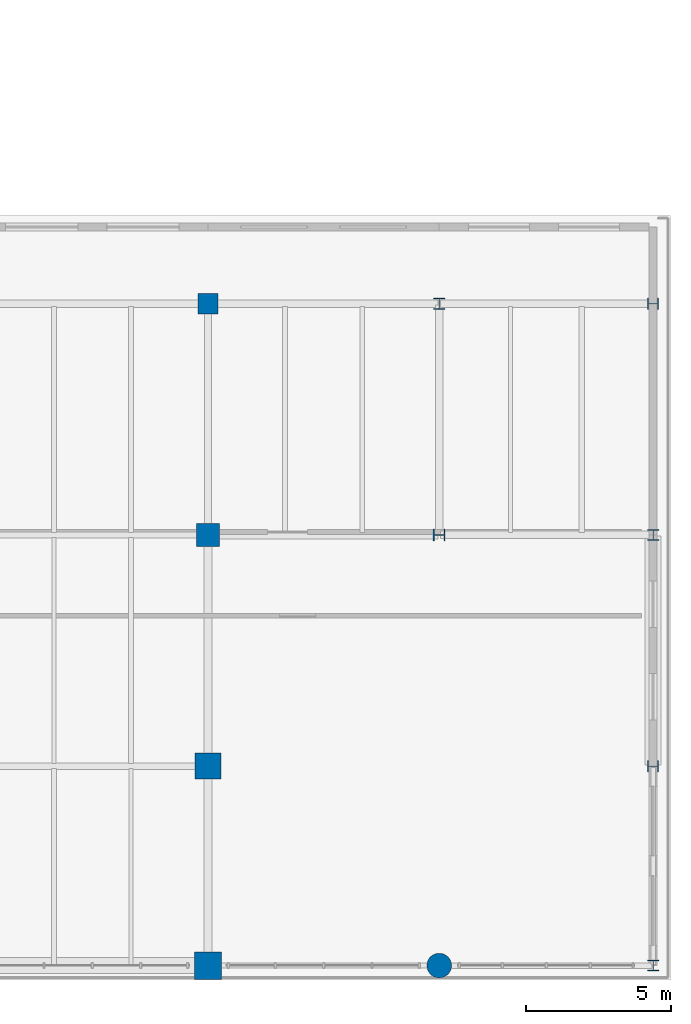
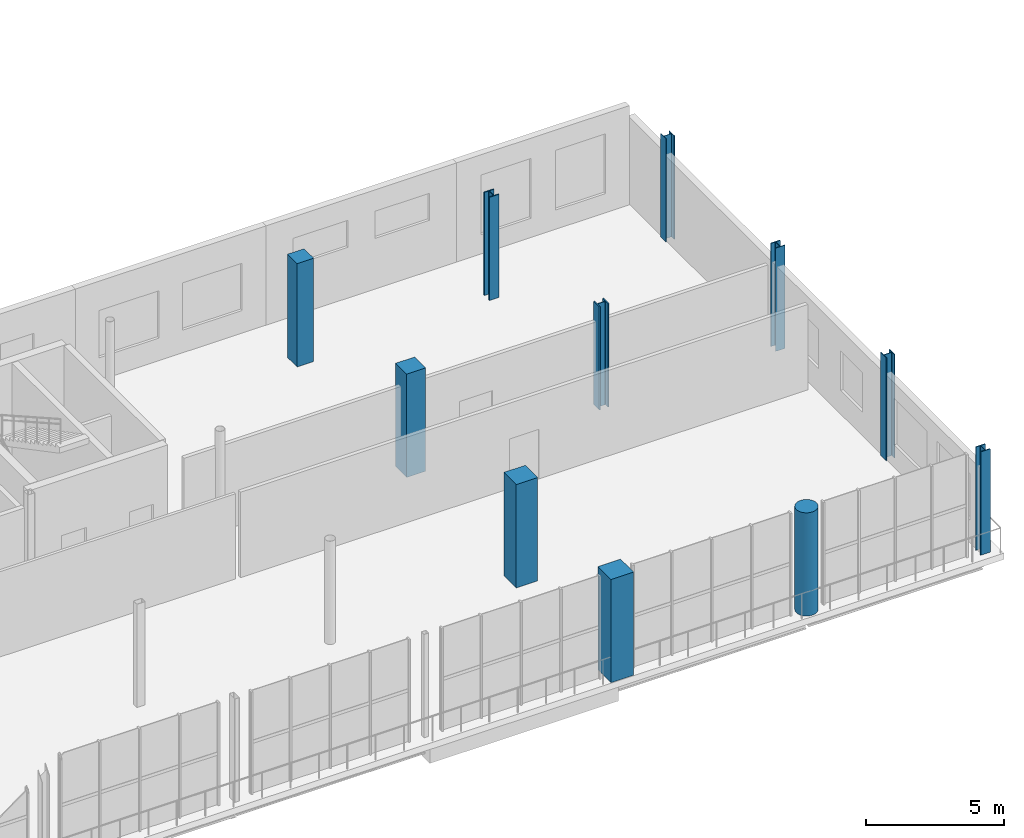
# One storey, part 18 of 70: 11 columns.
"""IFC4 building model written with IfcOpenShell, lengths in metres."""

from ifc_helpers import new_model, si_unit, direction, frame, origin, origin_2d, place, context, subcontext, project, spatial, rectangle, circle, i_section, extrude, material, material_profile, profile_set, type_object, element, save


model = new_model("IFC4")

# Units and contexts
model_context = context("Model", 3, precision=1e-05, world=origin(), true_north=direction((0.0, 1.0)))
body_context = subcontext(model_context, "Body", "Model", "MODEL_VIEW")
ifc_project = project(units=[si_unit("LENGTHUNIT", "METRE"), si_unit("AREAUNIT", "SQUARE_METRE"), si_unit("VOLUMEUNIT", "CUBIC_METRE"), si_unit("PLANEANGLEUNIT", "RADIAN"), si_unit("MASSUNIT", "GRAM", prefix="KILO")], contexts=[model_context])

# Site, building, storey
site_placement = place(None, origin())
site = spatial("IfcSite", under=ifc_project, at=site_placement, CompositionType="ELEMENT")
building_placement = place(site_placement, origin())
building = spatial("IfcBuilding", under=site, at=building_placement, Name="Brisemont Oceanarium", CompositionType="ELEMENT")
storey_placement = place(building_placement, frame((0.0, 0.0, 10.199951171875)))
storey = spatial("IfcBuildingStorey", under=building, at=storey_placement, Name="L02", CompositionType="ELEMENT", Elevation=10.199951171875)

# Columns
ifc_material_1 = material(Name="Concrete C35/45", Category="concrete")
ifc_material_profile_1 = material_profile(ifc_material_1, rectangle(XDim=0.699951171875, YDim=0.699951171875, at=origin_2d()), Name="RC-COL-700X700")
ifc_profile_set_1 = profile_set([ifc_material_profile_1], Name="Concrete C35/45")
column_type_1 = type_object("IfcColumnType", Name="COL-RC700", PredefinedType="COLUMN", material=ifc_profile_set_1)
column_1_placement = place(storey_placement, frame((144.0, 24.0, 0.0), z_axis=(0.0, 0.0, 1.0), x_axis=(0.0, 1.0, 0.0)))
element("IfcColumn", 1, at=column_1_placement, inside=storey, type_object=column_type_1, Name="V3 L02 column (4,3)", PredefinedType="COLUMN", context=body_context, shape_type="SweptSolid", body=[
    extrude(rectangle(XDim=0.699951171875, YDim=0.699951171875, at=origin_2d()), origin(), (0.0, 0.0, 1.0), 4.580078125),
])
ifc_material_2 = material(Name="Concrete C40/50", Category="concrete")
ifc_material_profile_2 = material_profile(ifc_material_2, rectangle(XDim=0.800048828125, YDim=0.800048828125, at=origin_2d()), Name="RC-COL-800X800")
ifc_profile_set_2 = profile_set([ifc_material_profile_2], Name="Concrete C40/50")
column_type_2 = type_object("IfcColumnType", Name="COL-RC800", PredefinedType="COLUMN", material=ifc_profile_set_2)
column_2_placement = place(storey_placement, frame((144.0, 16.0, 0.0), z_axis=(0.0, 0.0, 1.0), x_axis=(1.0, 0.0, 0.0)))
element("IfcColumn", 2, at=column_2_placement, inside=storey, type_object=column_type_2, Name="V3 L02 column (4,2)", PredefinedType="COLUMN", context=body_context, shape_type="SweptSolid", body=[
    extrude(rectangle(XDim=0.800048828125, YDim=0.800048828125, at=origin_2d()), origin(), (0.0, 0.0, 1.0), 4.580078125),
])
ifc_material_3 = material(Name="Concrete C40/50", Category="concrete")
ifc_material_profile_3 = material_profile(ifc_material_3, rectangle(XDim=0.89990234375, YDim=0.89990234375, at=origin_2d()), Name="RC-COL-900X900")
ifc_profile_set_3 = profile_set([ifc_material_profile_3], Name="Concrete C40/50")
column_type_3 = type_object("IfcColumnType", Name="COL-RC900", PredefinedType="COLUMN", material=ifc_profile_set_3)
column_3_placement = place(storey_placement, frame((144.0, 8.0, 0.0), z_axis=(0.0, 0.0, 1.0), x_axis=(0.0, 1.0, 0.0)))
element("IfcColumn", 3, at=column_3_placement, inside=storey, type_object=column_type_3, Name="V3 L02 column (4,1)", PredefinedType="COLUMN", context=body_context, shape_type="SweptSolid", body=[
    extrude(rectangle(XDim=0.89990234375, YDim=0.89990234375, at=origin_2d()), origin(), (0.0, 0.0, 1.0), 4.580078125),
])
ifc_material_4 = material(Name="Concrete C40/50", Category="concrete")
ifc_material_profile_4 = material_profile(ifc_material_4, rectangle(XDim=0.949951171875, YDim=0.949951171875, at=origin_2d()), Name="RC-COL-950X950")
ifc_profile_set_4 = profile_set([ifc_material_profile_4], Name="Concrete C40/50")
column_type_4 = type_object("IfcColumnType", Name="COL-RC950", PredefinedType="COLUMN", material=ifc_profile_set_4)
column_4_placement = place(storey_placement, frame((144.0, 1.10009765625, 0.0), z_axis=(0.0, 0.0, 1.0), x_axis=(1.0, 0.0, 0.0)))
element("IfcColumn", 4, at=column_4_placement, inside=storey, type_object=column_type_4, Name="V3 L02 column (4,0)", PredefinedType="COLUMN", context=body_context, shape_type="SweptSolid", body=[
    extrude(rectangle(XDim=0.949951171875, YDim=0.949951171875, at=origin_2d()), origin(), (0.0, 0.0, 1.0), 4.580078125),
])
ifc_material_5 = material(Name="Concrete C40/50", Category="concrete")
ifc_material_profile_5 = material_profile(ifc_material_5, circle(Radius=0.425048828125, at=origin_2d()), Name="RC-COL-D850")
ifc_profile_set_5 = profile_set([ifc_material_profile_5], Name="Concrete C40/50")
column_type_5 = type_object("IfcColumnType", Name="COL-RCD850", PredefinedType="COLUMN", material=ifc_profile_set_5)
column_5_placement = place(storey_placement, frame((152.0, 1.10009765625, 0.0), z_axis=(0.0, 0.0, 1.0), x_axis=(0.0, 1.0, 0.0)))
element("IfcColumn", 5, at=column_5_placement, inside=storey, type_object=column_type_5, Name="V3 L02 column (5,0)", PredefinedType="COLUMN", context=body_context, shape_type="SweptSolid", body=[
    extrude(circle(Radius=0.425048828125, at=origin_2d()), origin(), (0.0, 0.0, 1.0), 4.580078125),
])
ifc_material_6 = material(Name="Structural Steel ASTM A992 Gr.50", Category="steel")
ifc_material_profile_6 = material_profile(ifc_material_6, i_section(OverallWidth=0.39404296875, OverallDepth=0.3759765625, WebThickness=0.017333984375, FlangeThickness=0.027587890625, FilletRadius=0.014892578125, at=origin_2d()), Name="W14X145")
ifc_profile_set_6 = profile_set([ifc_material_profile_6], Name="Structural Steel ASTM A992 Gr.50")
column_type_6 = type_object("IfcColumnType", Name="COL-W14X145", PredefinedType="COLUMN", material=ifc_profile_set_6)
column_6_placement = place(storey_placement, frame((159.39990234375, 24.0, 0.0), z_axis=(0.0, 0.0, 1.0), x_axis=(0.0, 1.0, 0.0)))
element("IfcColumn", 6, at=column_6_placement, inside=storey, type_object=column_type_6, Name="V3 L02 column (6,3)", PredefinedType="COLUMN", context=body_context, shape_type="SweptSolid", body=[
    extrude(i_section(OverallWidth=0.39404296875, OverallDepth=0.3759765625, WebThickness=0.017333984375, FlangeThickness=0.027587890625, FilletRadius=0.014892578125, at=origin_2d()), origin(), (0.0, 0.0, 1.0), 4.580078125),
])
ifc_material_7 = material(Name="Structural Steel ASTM A992 Gr.50", Category="steel")
ifc_material_profile_7 = material_profile(ifc_material_7, i_section(OverallWidth=0.39501953125, OverallDepth=0.3798828125, WebThickness=0.018798828125, FlangeThickness=0.0302734375, FilletRadius=0.014892578125, at=origin_2d()), Name="W14X159")
ifc_profile_set_7 = profile_set([ifc_material_profile_7], Name="Structural Steel ASTM A992 Gr.50")
column_type_7 = type_object("IfcColumnType", Name="COL-W14X159", PredefinedType="COLUMN", material=ifc_profile_set_7)
column_7_placement = place(storey_placement, frame((159.39990234375, 16.0, 0.0), z_axis=(0.0, 0.0, 1.0), x_axis=(1.0, 0.0, 0.0)))
element("IfcColumn", 7, at=column_7_placement, inside=storey, type_object=column_type_7, Name="V3 L02 column (6,2)", PredefinedType="COLUMN", context=body_context, shape_type="SweptSolid", body=[
    extrude(i_section(OverallWidth=0.39501953125, OverallDepth=0.3798828125, WebThickness=0.018798828125, FlangeThickness=0.0302734375, FilletRadius=0.014892578125, at=origin_2d()), origin(), (0.0, 0.0, 1.0), 4.580078125),
])
ifc_material_8 = material(Name="Structural Steel ASTM A992 Gr.50", Category="steel")
ifc_material_profile_8 = material_profile(ifc_material_8, i_section(OverallWidth=0.39892578125, OverallDepth=0.385986328125, WebThickness=0.02099609375, FlangeThickness=0.033203125, FilletRadius=0.014892578125, at=origin_2d()), Name="W14X176")
ifc_profile_set_8 = profile_set([ifc_material_profile_8], Name="Structural Steel ASTM A992 Gr.50")
column_type_8 = type_object("IfcColumnType", Name="COL-W14X176", PredefinedType="COLUMN", material=ifc_profile_set_8)
column_8_placement = place(storey_placement, frame((159.39990234375, 8.0, 0.0), z_axis=(0.0, 0.0, 1.0), x_axis=(0.0, 1.0, 0.0)))
element("IfcColumn", 8, at=column_8_placement, inside=storey, type_object=column_type_8, Name="V3 L02 column (6,1)", PredefinedType="COLUMN", context=body_context, shape_type="SweptSolid", body=[
    extrude(i_section(OverallWidth=0.39892578125, OverallDepth=0.385986328125, WebThickness=0.02099609375, FlangeThickness=0.033203125, FilletRadius=0.014892578125, at=origin_2d()), origin(), (0.0, 0.0, 1.0), 4.580078125),
])
ifc_material_9 = material(Name="Structural Steel ASTM A992 Gr.50", Category="steel")
ifc_material_profile_9 = material_profile(ifc_material_9, i_section(OverallWidth=0.39990234375, OverallDepth=0.39306640625, WebThickness=0.022705078125, FlangeThickness=0.03662109375, FilletRadius=0.014892578125, at=origin_2d()), Name="W14X193")
ifc_profile_set_9 = profile_set([ifc_material_profile_9], Name="Structural Steel ASTM A992 Gr.50")
column_type_9 = type_object("IfcColumnType", Name="COL-W14X193", PredefinedType="COLUMN", material=ifc_profile_set_9)
column_9_placement = place(storey_placement, frame((159.39990234375, 1.10009765625, 0.0), z_axis=(0.0, 0.0, 1.0), x_axis=(1.0, 0.0, 0.0)))
element("IfcColumn", 9, at=column_9_placement, inside=storey, type_object=column_type_9, Name="V3 L02 column (6,0)", PredefinedType="COLUMN", context=body_context, shape_type="SweptSolid", body=[
    extrude(i_section(OverallWidth=0.39990234375, OverallDepth=0.39306640625, WebThickness=0.022705078125, FlangeThickness=0.03662109375, FilletRadius=0.014892578125, at=origin_2d()), origin(), (0.0, 0.0, 1.0), 4.580078125),
])
ifc_material_10 = material(Name="Structural Steel ASTM A992 Gr.50", Category="steel")
ifc_material_profile_10 = material_profile(ifc_material_10, i_section(OverallWidth=0.404052734375, OverallDepth=0.406982421875, WebThickness=0.027099609375, FlangeThickness=0.043701171875, FilletRadius=0.014892578125, at=origin_2d()), Name="W14X233")
ifc_profile_set_10 = profile_set([ifc_material_profile_10], Name="Structural Steel ASTM A992 Gr.50")
column_type_10 = type_object("IfcColumnType", Name="COL-W14X233", PredefinedType="COLUMN", material=ifc_profile_set_10)
column_10_placement = place(storey_placement, frame((152.0, 24.0, 0.0), z_axis=(0.0, 0.0, 1.0), x_axis=(1.0, 0.0, 0.0)))
element("IfcColumn", 10, at=column_10_placement, inside=storey, type_object=column_type_10, Name="V3 L02 column (5,3)", PredefinedType="COLUMN", context=body_context, shape_type="SweptSolid", body=[
    extrude(i_section(OverallWidth=0.404052734375, OverallDepth=0.406982421875, WebThickness=0.027099609375, FlangeThickness=0.043701171875, FilletRadius=0.014892578125, at=origin_2d()), origin(), (0.0, 0.0, 1.0), 4.580078125),
])
ifc_material_11 = material(Name="Structural Steel ASTM A992 Gr.50", Category="steel")
ifc_material_profile_11 = material_profile(ifc_material_11, i_section(OverallWidth=0.406005859375, OverallDepth=0.416015625, WebThickness=0.02978515625, FlangeThickness=0.048095703125, FilletRadius=0.014892578125, at=origin_2d()), Name="W14X257")
ifc_profile_set_11 = profile_set([ifc_material_profile_11], Name="Structural Steel ASTM A992 Gr.50")
column_type_11 = type_object("IfcColumnType", Name="COL-W14X257", PredefinedType="COLUMN", material=ifc_profile_set_11)
column_11_placement = place(storey_placement, frame((152.0, 16.0, 0.0), z_axis=(0.0, 0.0, 1.0), x_axis=(0.0, 1.0, 0.0)))
element("IfcColumn", 11, at=column_11_placement, inside=storey, type_object=column_type_11, Name="V3 L02 column (5,2)", PredefinedType="COLUMN", context=body_context, shape_type="SweptSolid", body=[
    extrude(i_section(OverallWidth=0.406005859375, OverallDepth=0.416015625, WebThickness=0.02978515625, FlangeThickness=0.048095703125, FilletRadius=0.014892578125, at=origin_2d()), origin(), (0.0, 0.0, 1.0), 4.580078125),
])

save(model, "model.ifc")
